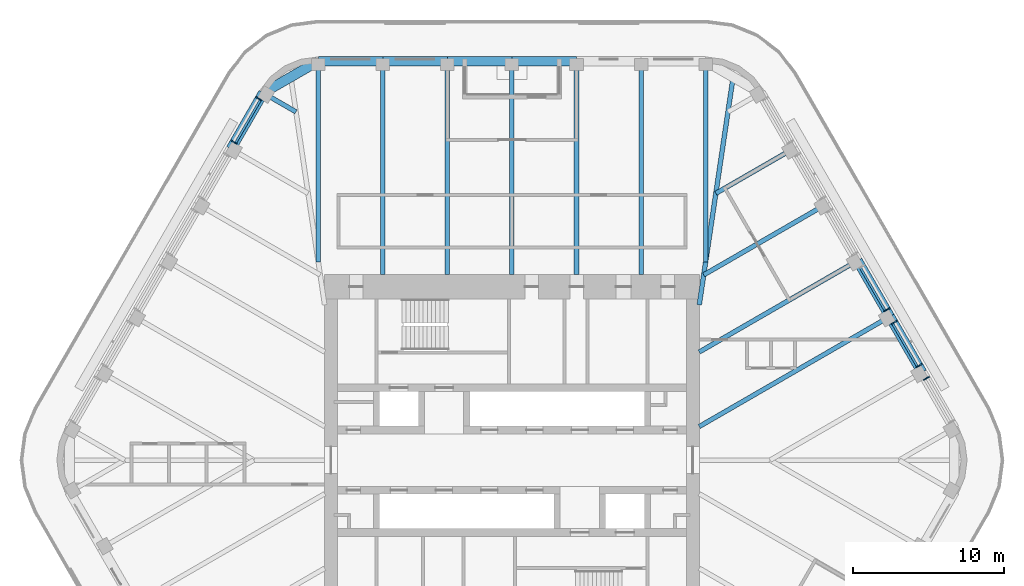
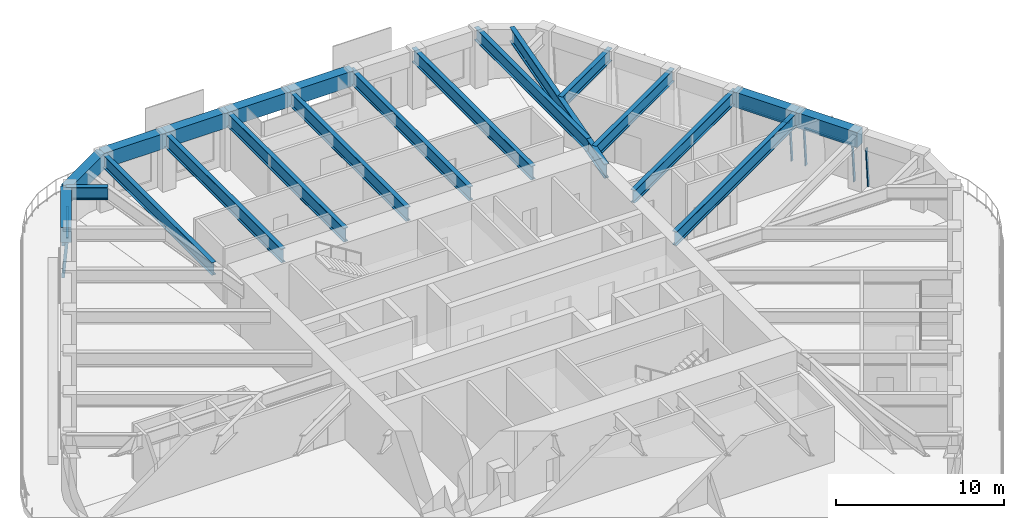
# One storey, part 9 of 19: 21 beams, 9 members, 4 elements without a shape of their own.
"""IFC4 building model written with IfcOpenShell, lengths in metres."""

from ifc_helpers import new_model, si_unit, direction, frame, origin, origin_2d, place, context, subcontext, project, spatial, rectangle, i_section, extrude, material, material_profile, profile_set, type_object, element, aggregate, save


model = new_model("IFC4")

# Units and contexts
model_context = context("Model", 3, precision=1e-05, world=origin(), true_north=direction((0.0, 1.0)))
body_context = subcontext(model_context, "Body", "Model", "MODEL_VIEW")
ifc_project = project(units=[si_unit("LENGTHUNIT", "METRE"), si_unit("AREAUNIT", "SQUARE_METRE"), si_unit("VOLUMEUNIT", "CUBIC_METRE"), si_unit("PLANEANGLEUNIT", "RADIAN"), si_unit("MASSUNIT", "GRAM", prefix="KILO")], contexts=[model_context])

# Site, building, storey
site_placement = place(None, origin())
site = spatial("IfcSite", under=ifc_project, at=site_placement, CompositionType="ELEMENT")
building_placement = place(site_placement, origin())
building = spatial("IfcBuilding", under=site, at=building_placement, Name="Tarfa Lantern Tower", CompositionType="ELEMENT")
storey_placement = place(building_placement, frame((0.0, 0.0, 361.89990234375)))
storey = spatial("IfcBuildingStorey", under=building, at=storey_placement, Name="L82", CompositionType="ELEMENT", Elevation=361.89990234375)

# Curtain wall, member
ifc_material_1 = material(Name="Aluminium framed curtain wall", Category="aluminium")
curtain_wall_type = type_object("IfcCurtainWallType", Name="CW4 CANTED GLAZING EXECUTIVE ZONE 2900", PredefinedType="USERDEFINED", material=ifc_material_1)
curtain_wall_1_placement = place(storey_placement, origin())
curtain_wall_1 = element("IfcCurtainWall", 1, at=curtain_wall_1_placement, inside=storey, type_object=curtain_wall_type, Name="CW4 NE L82", ObjectType="CURTAIN WALL", PredefinedType="USERDEFINED")
ifc_material_2 = material(Name="Aluminium mullion", Category="aluminium")
ifc_material_profile_1 = material_profile(ifc_material_2, rectangle(XDim=0.06494140625, YDim=0.199951171875, at=origin_2d()), Name="AL MULLION 65x200")
ifc_profile_set_1 = profile_set([ifc_material_profile_1], Name="Aluminium mullion")
member_type_1 = type_object("IfcMemberType", Name="CWM1 MULLION 65x200", PredefinedType="MULLION", material=ifc_profile_set_1)
member_1_placement = place(storey_placement, frame((27.602783203125, 5.490478515625, 0.0), z_axis=(-0.074393603155, -0.042941967097, 0.996303959277), x_axis=(0.499919672301, -0.866071776036, 0.0)))
member_1 = element("IfcMember", 2, at=member_1_placement, type_object=member_type_1, Name="CW4 mullion 2", PredefinedType="MULLION", context=body_context, shape_type="SweptSolid", body=[
    extrude(rectangle(XDim=0.06494140625, YDim=0.199951171875, at=origin_2d()), origin(), (0.0, 0.0, 1.0), 2.910888671875),
])
aggregate(curtain_wall_1, [member_1])

# Curtain wall, members
curtain_wall_2_placement = place(storey_placement, origin())
curtain_wall_2 = element("IfcCurtainWall", 3, at=curtain_wall_2_placement, inside=storey, type_object=curtain_wall_type, Name="CW4 NE L82", ObjectType="CURTAIN WALL", PredefinedType="USERDEFINED")
member_2_placement = place(storey_placement, frame((27.120361328125, 6.326171875, 0.0), z_axis=(-0.074393603155, -0.042941967097, 0.996303959277), x_axis=(0.499919672301, -0.866071776036, 0.0)))
member_2 = element("IfcMember", 4, at=member_2_placement, type_object=member_type_1, Name="CW4 mullion 1", PredefinedType="MULLION", context=body_context, shape_type="SweptSolid", body=[
    extrude(rectangle(XDim=0.06494140625, YDim=0.199951171875, at=origin_2d()), origin(), (0.0, 0.0, 1.0), 2.910888671875),
])
member_3_placement = place(storey_placement, frame((25.4619140625, 9.19873046875, 0.0), z_axis=(-0.074393603155, -0.042941967097, 0.996303959277), x_axis=(0.499919672301, -0.866071776036, 0.0)))
member_3 = element("IfcMember", 5, at=member_3_placement, type_object=member_type_1, Name="CW4 mullion 2", PredefinedType="MULLION", context=body_context, shape_type="SweptSolid", body=[
    extrude(rectangle(XDim=0.06494140625, YDim=0.199951171875, at=origin_2d()), origin(), (0.0, 0.0, 1.0), 2.910888671875),
])

# Curtain wall, member
curtain_wall_3_placement = place(storey_placement, origin())
curtain_wall_3 = element("IfcCurtainWall", 6, at=curtain_wall_3_placement, inside=storey, type_object=curtain_wall_type, Name="CW4 NE L82", ObjectType="CURTAIN WALL", PredefinedType="USERDEFINED")
member_4_placement = place(storey_placement, frame((24.979248046875, 10.034423828125, 0.0), z_axis=(-0.074310195522, -0.042942234884, 0.996310172238), x_axis=(0.500342721131, -0.865827443207, 0.0)))
member_4 = element("IfcMember", 7, at=member_4_placement, type_object=member_type_1, Name="CW4 mullion 1", PredefinedType="MULLION", context=body_context, shape_type="SweptSolid", body=[
    extrude(rectangle(XDim=0.06494140625, YDim=0.199951171875, at=origin_2d()), origin(), (0.0, 0.0, 1.0), 2.910888671875),
])

# Curtain wall, members
curtain_wall_4_placement = place(storey_placement, origin())
curtain_wall_4 = element("IfcCurtainWall", 8, at=curtain_wall_4_placement, inside=storey, type_object=curtain_wall_type, Name="CW4 NW L82", ObjectType="CURTAIN WALL", PredefinedType="USERDEFINED")
member_5_placement = place(storey_placement, frame((-16.897705078125, 24.0322265625, 0.0), z_axis=(0.074310195522, -0.042942234884, 0.996310172238), x_axis=(0.500342721131, 0.865827443207, 0.0)))
member_5 = element("IfcMember", 9, at=member_5_placement, type_object=member_type_1, Name="CW4 mullion 1", PredefinedType="MULLION", context=body_context, shape_type="SweptSolid", body=[
    extrude(rectangle(XDim=0.06494140625, YDim=0.199951171875, at=origin_2d()), origin(), (0.0, 0.0, 1.0), 2.910888671875),
])
member_6_placement = place(storey_placement, frame((-18.556396484375, 21.159423828125, 0.0), z_axis=(0.074393603155, -0.042941967097, 0.996303959277), x_axis=(0.499919672301, 0.866071776036, 0.0)))
member_6 = element("IfcMember", 10, at=member_6_placement, type_object=member_type_1, Name="CW4 mullion 2", PredefinedType="MULLION", context=body_context, shape_type="SweptSolid", body=[
    extrude(rectangle(XDim=0.06494140625, YDim=0.199951171875, at=origin_2d()), origin(), (0.0, 0.0, 1.0), 2.910888671875),
])

# Member
ifc_material_3 = material(Name="Aluminium transom", Category="aluminium")
ifc_material_profile_2 = material_profile(ifc_material_3, rectangle(XDim=0.14990234375, YDim=0.06494140625, at=origin_2d()), Name="AL TRANSOM 150x65")
ifc_profile_set_2 = profile_set([ifc_material_profile_2], Name="Aluminium transom")
member_type_2 = type_object("IfcMemberType", Name="CWT1 TRANSOM 150x65", PredefinedType="USERDEFINED", material=ifc_profile_set_2)
member_7_placement = place(storey_placement, frame((26.889892578125, 6.230712890625, 2.86767578125), z_axis=(-0.499982393232, 0.866035568818, 0.0), x_axis=(-0.866035568818, -0.499982393232, 0.0)))
member_7 = element("IfcMember", 11, at=member_7_placement, type_object=member_type_2, Name="CW4 transom 1.2", ObjectType="TRANSOM", PredefinedType="USERDEFINED", context=body_context, shape_type="SweptSolid", body=[
    extrude(rectangle(XDim=0.14990234375, YDim=0.06494140625, at=origin_2d()), origin(), (0.0, 0.0, 1.0), 3.251953125),
])

aggregate(curtain_wall_2, [member_2, member_3, member_7])

member_8_placement = place(storey_placement, frame((24.7490234375, 9.93896484375, 2.86767578125), z_axis=(-0.499982393232, 0.866035568818, 0.0), x_axis=(-0.866035568818, -0.499982393232, 0.0)))
member_8 = element("IfcMember", 12, at=member_8_placement, type_object=member_type_2, Name="CW4 transom 1.2", ObjectType="TRANSOM", PredefinedType="USERDEFINED", context=body_context, shape_type="SweptSolid", body=[
    extrude(rectangle(XDim=0.14990234375, YDim=0.06494140625, at=origin_2d()), origin(), (0.0, 0.0, 1.0), 3.251953125),
])

aggregate(curtain_wall_3, [member_4, member_8])

member_9_placement = place(storey_placement, frame((-16.699951171875, 23.88037109375, 2.86767578125), z_axis=(-0.499982393232, -0.866035568818, 0.0), x_axis=(0.866035568818, -0.499982393232, 0.0)))
member_9 = element("IfcMember", 13, at=member_9_placement, type_object=member_type_2, Name="CW4 transom 1.2", ObjectType="TRANSOM", PredefinedType="USERDEFINED", context=body_context, shape_type="SweptSolid", body=[
    extrude(rectangle(XDim=0.14990234375, YDim=0.06494140625, at=origin_2d()), origin(), (0.0, 0.0, 1.0), 3.251953125),
])

aggregate(curtain_wall_4, [member_5, member_6, member_9])

# Beams
ifc_material_4 = material(Name="Concrete C80/95", Category="concrete")
ifc_material_profile_3 = material_profile(ifc_material_4, rectangle(XDim=0.64990234375, YDim=1.10009765625, at=origin_2d()), Name="RC 650x1100")
ifc_profile_set_3 = profile_set([ifc_material_profile_3], Name="Concrete C80/95")
beam_type_1 = type_object("IfcBeamType", Name="EB4 RC 650x1100", PredefinedType="SPANDREL", material=ifc_profile_set_3)
beam_1_placement = place(storey_placement, frame((27.205810546875, 5.818359375, 3.4501953125), z_axis=(-0.500026801138, 0.866009929587, 0.0), x_axis=(-0.866009929587, -0.500026801138, 0.0)))
element("IfcBeam", 14, at=beam_1_placement, inside=storey, type_object=beam_type_1, Name="Edge beam NE1", PredefinedType="SPANDREL", context=body_context, shape_type="SweptSolid", body=[
    extrude(rectangle(XDim=0.64990234375, YDim=1.10009765625, at=origin_2d()), origin(), (0.0, 0.0, 1.0), 4.281982421875),
])
beam_2_placement = place(storey_placement, frame((25.064697265625, 9.526611328125, 3.4501953125), z_axis=(-0.500002112793, 0.866024183959, 0.0), x_axis=(-0.866024183959, -0.500002112793, 0.0)))
element("IfcBeam", 15, at=beam_2_placement, inside=storey, type_object=beam_type_1, Name="Edge beam NE2", PredefinedType="SPANDREL", context=body_context, shape_type="SweptSolid", body=[
    extrude(rectangle(XDim=0.64990234375, YDim=1.10009765625, at=origin_2d()), origin(), (0.0, 0.0, 1.0), 4.2822265625),
])
for number, where, z_axis, x_axis, name in (
    (16, (4.281982421875, 26.469970703125, 3.4501953125), (-1.0, 0.0, 0.0), (0.0, -1.0, 0.0), "Edge beam N2"),
    (17, (0.0, 26.469970703125, 3.4501953125), (-1.0, 0.0, 0.0), (0.0, -1.0, 0.0), "Edge beam N3"),
    (18, (-4.281982421875, 26.469970703125, 3.4501953125), (-1.0, 0.0, 0.0), (0.0, -1.0, 0.0), "Edge beam N4"),
    (19, (-8.56396484375, 26.469970703125, 3.4501953125), (-1.0, 0.0, 0.0), (0.0, -1.0, 0.0), "Edge beam N5"),
):
    element("IfcBeam", number, at=place(storey_placement, frame(where, z_axis=z_axis, x_axis=x_axis)), inside=storey, type_object=beam_type_1, Name=name, PredefinedType="SPANDREL", context=body_context, shape_type="SweptSolid", body=[
        extrude(rectangle(XDim=0.64990234375, YDim=1.10009765625, at=origin_2d()), origin(), (0.0, 0.0, 1.0), 4.281982421875),
    ])
beam_3_placement = place(storey_placement, frame((-12.845947265625, 26.469970703125, 3.4501953125), z_axis=(-0.866048788483, -0.499959494327, 0.0), x_axis=(0.499959494327, -0.866048788483, 0.0)))
element("IfcBeam", 20, at=beam_3_placement, inside=storey, type_object=beam_type_1, Name="Edge beam N6", PredefinedType="SPANDREL", context=body_context, shape_type="SweptSolid", body=[
    extrude(rectangle(XDim=0.64990234375, YDim=1.10009765625, at=origin_2d()), origin(), (0.0, 0.0, 1.0), 4.219970703125),
])
beam_4_placement = place(storey_placement, frame((-16.500732421875, 24.360107421875, 3.4501953125), z_axis=(-0.499959351497, -0.866048870937, 0.0), x_axis=(0.866048870937, -0.499959351497, 0.0)))
element("IfcBeam", 21, at=beam_4_placement, inside=storey, type_object=beam_type_1, Name="Edge beam NW0", PredefinedType="SPANDREL", context=body_context, shape_type="SweptSolid", body=[
    extrude(rectangle(XDim=0.64990234375, YDim=1.10009765625, at=origin_2d()), origin(), (0.0, 0.0, 1.0), 4.281982421875),
])
ifc_material_5 = material(Name="Steel S460M", Category="steel")
ifc_material_profile_4 = material_profile(ifc_material_5, i_section(OverallWidth=0.302001953125, OverallDepth=1.008056640625, WebThickness=0.02099609375, FlangeThickness=0.0400390625, FilletRadius=0.030029296875, at=origin_2d()), Name="UB1016x305x349")
ifc_profile_set_4 = profile_set([ifc_material_profile_4], Name="Steel S460M")
beam_type_2 = type_object("IfcBeamType", Name="UB1016x305x349", PredefinedType="BEAM", material=ifc_profile_set_4)
beam_5_placement = place(storey_placement, frame((25.064697265625, 9.526611328125, 3.49609375), z_axis=(-0.866029591389, -0.499992746786, 0.0), x_axis=(0.499992746786, -0.866029591389, 0.0)))
element("IfcBeam", 22, at=beam_5_placement, inside=storey, type_object=beam_type_2, Name="Floor beam NE2", PredefinedType="BEAM", context=body_context, shape_type="SweptSolid", body=[
    extrude(i_section(OverallWidth=0.302001953125, OverallDepth=1.008056640625, WebThickness=0.02099609375, FlangeThickness=0.0400390625, FilletRadius=0.030029296875, at=origin_2d()), origin(), (0.0, 0.0, 1.0), 14.594970703125),
])
for number, where, z_axis, x_axis, name in (
    (23, (8.56396484375, 26.469970703125, 3.49609375), (0.0, -1.0, 0.0), (1.0, 0.0, 0.0), "Floor beam N1"),
    (24, (4.281982421875, 26.469970703125, 3.49609375), (0.0, -1.0, 0.0), (1.0, 0.0, 0.0), "Floor beam N2"),
    (25, (0.0, 26.469970703125, 3.49609375), (0.0, -1.0, 0.0), (1.0, 0.0, 0.0), "Floor beam N3"),
    (26, (-4.281982421875, 26.469970703125, 3.49609375), (0.0, -1.0, 0.0), (1.0, 0.0, 0.0), "Floor beam N4"),
    (27, (-8.56396484375, 26.469970703125, 3.49609375), (0.0, -1.0, 0.0), (1.0, 0.0, 0.0), "Floor beam N5"),
):
    element("IfcBeam", number, at=place(storey_placement, frame(where, z_axis=z_axis, x_axis=x_axis)), inside=storey, type_object=beam_type_2, Name=name, PredefinedType="BEAM", context=body_context, shape_type="SweptSolid", body=[
        extrude(i_section(OverallWidth=0.302001953125, OverallDepth=1.008056640625, WebThickness=0.02099609375, FlangeThickness=0.0400390625, FilletRadius=0.030029296875, at=origin_2d()), origin(), (0.0, 0.0, 1.0), 14.169921875),
    ])
ifc_material_profile_5 = material_profile(ifc_material_5, i_section(OverallWidth=0.30859375, OverallDepth=1.036376953125, WebThickness=0.030029296875, FlangeThickness=0.05419921875, FilletRadius=0.030029296875, at=origin_2d()), Name="UB1016x305x487")
ifc_profile_set_5 = profile_set([ifc_material_profile_5], Name="Steel S460M")
beam_type_3 = type_object("IfcBeamType", Name="UB1016x305x487", PredefinedType="BEAM", material=ifc_profile_set_5)
beam_6_placement = place(storey_placement, frame((12.425048828125, 10.300048828125, 3.48193359375), z_axis=(0.147127069073, 0.989117599452, 0.0), x_axis=(-0.989117599452, 0.147127069073, 0.0)))
element("IfcBeam", 28, at=beam_6_placement, inside=storey, type_object=beam_type_3, Name="Hip girder NE", PredefinedType="BEAM", context=body_context, shape_type="SweptSolid", body=[
    extrude(i_section(OverallWidth=0.30859375, OverallDepth=1.036376953125, WebThickness=0.030029296875, FlangeThickness=0.05419921875, FilletRadius=0.030029296875, at=origin_2d()), origin(), (0.0, 0.0, 1.0), 15.28125),
])
ifc_material_profile_6 = material_profile(ifc_material_5, i_section(OverallWidth=0.305419921875, OverallDepth=0.91845703125, WebThickness=0.017333984375, FlangeThickness=0.02783203125, FilletRadius=0.01904296875, at=origin_2d()), Name="UB914x305x253")
ifc_profile_set_6 = profile_set([ifc_material_profile_6], Name="Steel S460M")
beam_type_4 = type_object("IfcBeamType", Name="UB914x305x253", PredefinedType="BEAM", material=ifc_profile_set_6)
beam_7_placement = place(storey_placement, frame((22.923583984375, 13.235107421875, 3.541015625), z_axis=(-0.86601856927, -0.500011837539, 0.0), x_axis=(0.500011837539, -0.86601856927, 0.0)))
element("IfcBeam", 29, at=beam_7_placement, inside=storey, type_object=beam_type_4, Name="Floor beam NE3", PredefinedType="BEAM", context=body_context, shape_type="SweptSolid", body=[
    extrude(i_section(OverallWidth=0.305419921875, OverallDepth=0.91845703125, WebThickness=0.017333984375, FlangeThickness=0.02783203125, FilletRadius=0.01904296875, at=origin_2d()), origin(), (0.0, 0.0, 1.0), 12.122802734375),
])
beam_8_placement = place(storey_placement, frame((20.78271484375, 16.943359375, 3.541015625), z_axis=(-0.866021806508, -0.500006230613, 0.0), x_axis=(0.500006230613, -0.866021806508, 0.0)))
element("IfcBeam", 30, at=beam_8_placement, inside=storey, type_object=beam_type_4, Name="Floor beam NE4", PredefinedType="BEAM", context=body_context, shape_type="SweptSolid", body=[
    extrude(i_section(OverallWidth=0.305419921875, OverallDepth=0.91845703125, WebThickness=0.017333984375, FlangeThickness=0.02783203125, FilletRadius=0.01904296875, at=origin_2d()), origin(), (0.0, 0.0, 1.0), 9.30908203125),
])
beam_9_placement = place(storey_placement, frame((18.6416015625, 20.651611328125, 3.541015625), z_axis=(-0.866024549157, -0.500001480256, 0.0), x_axis=(0.500001480256, -0.866024549157, 0.0)))
element("IfcBeam", 31, at=beam_9_placement, inside=storey, type_object=beam_type_4, Name="Floor beam NE5", PredefinedType="BEAM", context=body_context, shape_type="SweptSolid", body=[
    extrude(i_section(OverallWidth=0.305419921875, OverallDepth=0.91845703125, WebThickness=0.017333984375, FlangeThickness=0.02783203125, FilletRadius=0.01904296875, at=origin_2d()), origin(), (0.0, 0.0, 1.0), 5.90771484375),
])
for number, where, z_axis, x_axis, name in (
    (32, (12.845947265625, 26.469970703125, 3.541015625), (0.0, -1.0, 0.0), (1.0, 0.0, 0.0), "Floor beam N0"),
    (33, (-12.845947265625, 26.469970703125, 3.541015625), (0.0, -1.0, 0.0), (1.0, 0.0, 0.0), "Floor beam N6"),
):
    element("IfcBeam", number, at=place(storey_placement, frame(where, z_axis=z_axis, x_axis=x_axis)), inside=storey, type_object=beam_type_4, Name=name, PredefinedType="BEAM", context=body_context, shape_type="SweptSolid", body=[
        extrude(i_section(OverallWidth=0.305419921875, OverallDepth=0.91845703125, WebThickness=0.017333984375, FlangeThickness=0.02783203125, FilletRadius=0.01904296875, at=origin_2d()), origin(), (0.0, 0.0, 1.0), 13.33935546875),
    ])
beam_10_placement = place(storey_placement, frame((-16.500732421875, 24.360107421875, 3.541015625), z_axis=(0.865992557167, -0.500056887695, 0.0), x_axis=(0.500056887695, 0.865992557167, 0.0)))
element("IfcBeam", 34, at=beam_10_placement, inside=storey, type_object=beam_type_4, Name="Floor beam NW0", PredefinedType="BEAM", context=body_context, shape_type="SweptSolid", body=[
    extrude(i_section(OverallWidth=0.305419921875, OverallDepth=0.91845703125, WebThickness=0.017333984375, FlangeThickness=0.02783203125, FilletRadius=0.01904296875, at=origin_2d()), origin(), (0.0, 0.0, 1.0), 2.506591796875),
])

save(model, "model.ifc")
